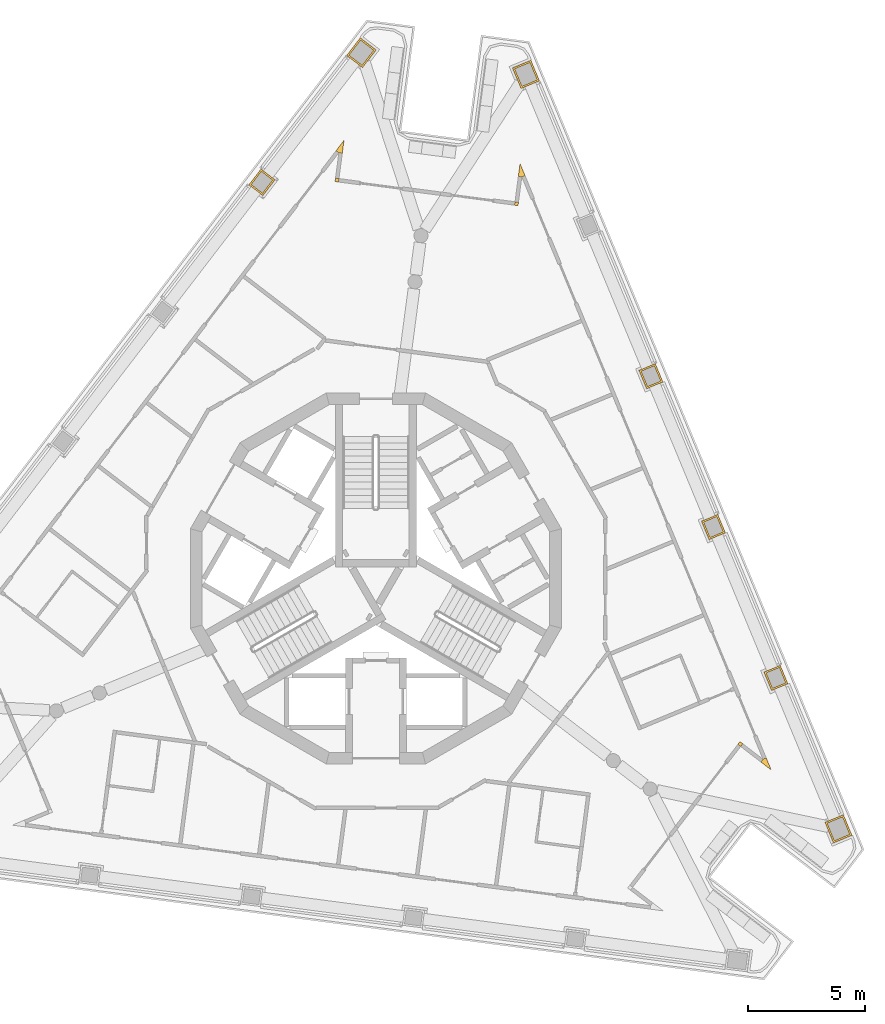
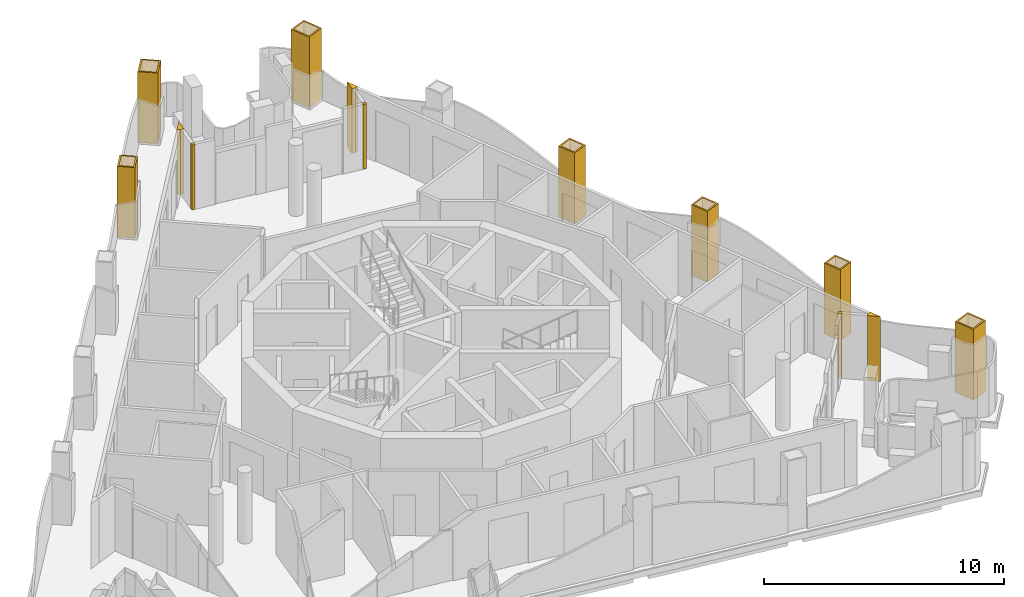
# One storey, part 11 of 12: 13 coverings.
"""IFC4 building model written with IfcOpenShell, lengths in metres."""

import ifcopenshell
import ifcopenshell.guid

model = None  # the IFC model being written
_history = None  # IfcOwnerHistory: only IFC2X3 demands one
_inside = {}  # id of a spatial element -> (the spatial element, [elements in it])
_under = {}  # id of a project, library or spatial element -> (it, [spatial elements below it])
_declared = {}  # id of a project -> (the project, [libraries it declares])
_typed = {}  # id of a type object -> (the type object, [elements of that type])
_made_of = {}  # id of a material, layer set ... -> (it, [elements and type objects made of it])


def new_model(schema):
    """Start an empty IFC model of exactly this schema.

    Asked for "IFC4X3", IfcOpenShell would pick the latest addendum, in which some entities
    have other attributes; the version numbers below select the first issue.
    IFC2X3 requires an IfcOwnerHistory on every rooted entity: one is made here for all.
    """
    global model, _history
    if schema == "IFC4X3":
        model = ifcopenshell.file(schema_version=(4, 3, 0, 0))
    else:
        model = ifcopenshell.file(schema=schema)
    _inside.clear()
    _under.clear()
    _declared.clear()
    _typed.clear()
    _made_of.clear()
    _history = None
    if model.schema == "IFC2X3":
        org = make("IfcOrganization", Name="unknown")
        user = make(
            "IfcPersonAndOrganization",
            ThePerson=make("IfcPerson", FamilyName="unknown"),
            TheOrganization=org,
        )
        app = make(
            "IfcApplication",
            ApplicationDeveloper=org,
            Version="unknown",
            ApplicationFullName="unknown",
            ApplicationIdentifier="unknown",
        )
        _history = make(
            "IfcOwnerHistory",
            OwningUser=user,
            OwningApplication=app,
            ChangeAction="ADDED",
            CreationDate=0,
        )
    return model


def make(cls, **values):
    """One entity of the class cls with the attributes given. An attribute that is None is left unset."""
    return model.create_entity(
        cls, **{name: value for name, value in values.items() if value is not None}
    )


def rooted(cls, **values):
    """An entity with a GlobalId (a new one), such as an element, a storey or a relation."""
    return make(cls, GlobalId=ifcopenshell.guid.new(), OwnerHistory=_history, **values)


def si_unit(unit_type, name, prefix=None):
    """IfcSIUnit, for example si_unit("LENGTHUNIT", "METRE", prefix="MILLI")."""
    return make("IfcSIUnit", UnitType=unit_type, Prefix=prefix, Name=name)


def assignment(units):
    """IfcUnitAssignment: the units of a project."""
    return None if units is None else make("IfcUnitAssignment", Units=units)


def point(xyz):
    """IfcCartesianPoint."""
    return None if xyz is None else make("IfcCartesianPoint", Coordinates=xyz)


def direction(xyz):
    """IfcDirection."""
    return None if xyz is None else make("IfcDirection", DirectionRatios=xyz)


def frame(location, z_axis=None, x_axis=None):
    """IfcAxis2Placement3D, a coordinate frame: its origin and axes. An axis left out is left unset."""
    return make(
        "IfcAxis2Placement3D",
        Location=point(location),
        Axis=direction(z_axis),
        RefDirection=direction(x_axis),
    )


def origin():
    """The frame at (0, 0, 0) with its axes left unset."""
    return frame((0.0, 0.0, 0.0))


def place(relative_to, where):
    """IfcLocalPlacement: puts the frame where relative to a parent placement (None: the world)."""
    return make(
        "IfcLocalPlacement", PlacementRelTo=relative_to, RelativePlacement=where
    )


def context(
    kind, dimensions, precision=None, world=None, true_north=None, identifier=None
):
    """IfcGeometricRepresentationContext, for example the 3D "Model" context."""
    return make(
        "IfcGeometricRepresentationContext",
        ContextIdentifier=identifier,
        ContextType=kind,
        CoordinateSpaceDimension=dimensions,
        Precision=precision,
        WorldCoordinateSystem=world,
        TrueNorth=true_north,
    )


def subcontext(parent, identifier, kind, view, scale=None):
    """IfcGeometricRepresentationSubContext, for example "Body" below "Model"."""
    return make(
        "IfcGeometricRepresentationSubContext",
        ContextIdentifier=identifier,
        ContextType=kind,
        ParentContext=parent,
        TargetScale=scale,
        TargetView=view,
    )


def project(units=None, contexts=None):
    """IfcProject with its units and contexts."""
    return rooted(
        "IfcProject",
        Name="project",
        RepresentationContexts=contexts,
        UnitsInContext=assignment(units),
    )


def spatial(cls, under=None, at=None, **own):
    """A site, building, storey or space (cls), placed at a placement, below another one or the project."""
    s = rooted(cls, ObjectPlacement=at, **own)
    if under is not None:
        _under.setdefault(under.id(), (under, []))[1].append(s)
    return s


def polyline(points):
    """IfcPolyline through the points."""
    return make("IfcPolyline", Points=[point(p) for p in points])


def outline(outer, holes=None, kind="AREA"):
    """IfcArbitraryClosedProfileDef: a profile drawn as a closed curve; with holes, ...WithVoids."""
    if holes is None:
        return make("IfcArbitraryClosedProfileDef", ProfileType=kind, OuterCurve=outer)
    return make(
        "IfcArbitraryProfileDefWithVoids",
        ProfileType=kind,
        OuterCurve=outer,
        InnerCurves=holes,
    )


def extrude(swept, where, along, depth):
    """IfcExtrudedAreaSolid: the profile swept, set in the frame where, extruded along a direction by depth."""
    return make(
        "IfcExtrudedAreaSolid",
        SweptArea=swept,
        Position=where,
        ExtrudedDirection=direction(along),
        Depth=depth,
    )


def shape(context_of_items, identifier, shape_type, items):
    """IfcShapeRepresentation: the items that make up one representation, for example the "Body"."""
    return make(
        "IfcShapeRepresentation",
        ContextOfItems=context_of_items,
        RepresentationIdentifier=identifier,
        RepresentationType=shape_type,
        Items=items,
    )


def material(Name=None, Category=None):
    """IfcMaterial."""
    return make("IfcMaterial", Name=Name, Category=Category)


def layer(
    of_material, thickness, ventilated=None, Name=None, Category=None, Priority=None
):
    """IfcMaterialLayer: one layer of a wall or slab, of a material (None: an air gap)."""
    return make(
        "IfcMaterialLayer",
        Material=of_material,
        LayerThickness=thickness,
        IsVentilated=ventilated,
        Name=Name,
        Category=Category,
        Priority=Priority,
    )


def layer_set(layers, Name=None):
    """IfcMaterialLayerSet."""
    return make("IfcMaterialLayerSet", MaterialLayers=layers, LayerSetName=Name)


def made_of(thing, what):
    """Note that an element or type object is made of a material, layer set ...; save() writes the relation."""
    if what is not None:
        _made_of.setdefault(what.id(), (what, []))[1].append(thing)
    return thing


def type_object(cls, material=None, **own):
    """A type object (cls), such as IfcWallType, which elements share."""
    return made_of(rooted(cls, **own), material)


def element(
    cls,
    number,
    at=None,
    inside=None,
    cuts=None,
    type_object=None,
    material=None,
    context=None,
    identifier="Body",
    shape_type=None,
    held_by="IfcProductDefinitionShape",
    body=None,
    shapes=None,
    **own,
):
    """One element of the class cls, such as IfcWall. Its Tag is "e" and its number.

    at: its placement. inside: the storey or other place that contains it. cuts: it is an
    opening in that element (IfcRelVoidsElement). A single representation is given by context,
    identifier, shape_type and body (its items); several are given by shapes. held_by: the class
    of the entity that holds the representations. save() writes the other relations.
    """
    e = rooted(cls, Tag="e%d" % number, ObjectPlacement=at, **own)
    if body is not None:
        shapes = [shape(context, identifier, shape_type, body)]
    if shapes is not None:
        e.Representation = make(held_by, Representations=shapes)
    if inside is not None:
        _inside.setdefault(inside.id(), (inside, []))[1].append(e)
    if cuts is not None:
        rooted(
            "IfcRelVoidsElement", RelatingBuildingElement=cuts, RelatedOpeningElement=e
        )
    if type_object is not None:
        _typed.setdefault(type_object.id(), (type_object, []))[1].append(e)
    return made_of(e, material)


def aggregate(whole, parts):
    """IfcRelAggregates: a whole, such as a stair, and the parts it consists of."""
    return rooted("IfcRelAggregates", RelatingObject=whole, RelatedObjects=parts)


def save(model, path):
    """Write the relations noted so far, then the file.

    IfcRelAggregates (storeys below a building ...), IfcRelContainedInSpatialStructure (elements
    in a storey), IfcRelDefinesByType, IfcRelAssociatesMaterial and IfcRelDeclares: one each for
    every whole, place, type object, material and project.
    """
    for whole, parts in _under.values():
        aggregate(whole, parts)
    for where, things in _inside.values():
        rooted(
            "IfcRelContainedInSpatialStructure",
            RelatedElements=things,
            RelatingStructure=where,
        )
    for kind, things in _typed.values():
        rooted("IfcRelDefinesByType", RelatedObjects=things, RelatingType=kind)
    for what, things in _made_of.values():
        rooted("IfcRelAssociatesMaterial", RelatedObjects=things, RelatingMaterial=what)
    for by, libraries in _declared.values():
        rooted("IfcRelDeclares", RelatingContext=by, RelatedDefinitions=libraries)
    model.write(path)


model = new_model("IFC4")

# Units and contexts
model_context = context("Model", 3, precision=1e-05, world=origin(), true_north=direction((0.0, 1.0)))
body_context = subcontext(model_context, "Body", "Model", "MODEL_VIEW")
ifc_project = project(units=[si_unit("LENGTHUNIT", "METRE"), si_unit("AREAUNIT", "SQUARE_METRE"), si_unit("VOLUMEUNIT", "CUBIC_METRE"), si_unit("PLANEANGLEUNIT", "RADIAN"), si_unit("MASSUNIT", "GRAM", prefix="KILO")], contexts=[model_context])

# Site, building, storey
site_placement = place(None, origin())
site = spatial("IfcSite", under=ifc_project, at=site_placement, CompositionType="ELEMENT")
building_placement = place(site_placement, origin())
building = spatial("IfcBuilding", under=site, at=building_placement, Name="Trine Commons Tower", CompositionType="ELEMENT")
storey_placement = place(building_placement, frame((0.0, 0.0, 279.0)))
storey = spatial("IfcBuildingStorey", under=building, at=storey_placement, Name="L73", CompositionType="ELEMENT", Elevation=279.0)

# Coverings
ifc_material_1 = material(Name="Aluminium-framed insulated wall panel", Category="aluminium")
ifc_layer_1 = layer(ifc_material_1, 0.14990234375)
ifc_layer_set_1 = layer_set([ifc_layer_1], Name="Aluminium-framed insulated wall panel")
covering_type_1 = type_object("IfcCoveringType", Name="Glazing corner post, aluminium", PredefinedType="CLADDING", material=ifc_layer_set_1)
covering_1_placement = place(storey_placement, origin())
element("IfcCovering", 1, at=covering_1_placement, inside=storey, type_object=covering_type_1, Name="Glazing corner post 8-02", PredefinedType="CLADDING", context=body_context, shape_type="SweptSolid", body=[
    extrude(outline(polyline([(78.41845703125, 80.671875), (78.567138671875, 80.652099609375), (78.64013671875, 81.207275390625), (78.29931640625, 80.76318359375), (78.41845703125, 80.671875), (78.41845703125, 80.671875)])), origin(), (0.0, 0.0, 1.0), 3.300048828125),
])
covering_2_placement = place(storey_placement, origin())
element("IfcCovering", 2, at=covering_2_placement, inside=storey, type_object=covering_type_1, Name="Glazing corner post 8-03", PredefinedType="CLADDING", context=body_context, shape_type="SweptSolid", body=[
    extrude(outline(polyline([(78.40576171875, 79.427001953125), (78.42529296875, 79.57568359375), (78.276611328125, 79.59521484375), (78.257080078125, 79.446533203125), (78.40576171875, 79.427001953125)])), origin(), (0.0, 0.0, 1.0), 3.300048828125),
])
covering_3_placement = place(storey_placement, origin())
element("IfcCovering", 3, at=covering_3_placement, inside=storey, type_object=covering_type_1, Name="Glazing corner post 8-04", PredefinedType="CLADDING", context=body_context, shape_type="SweptSolid", body=[
    extrude(outline(polyline([(85.9208984375, 78.437744140625), (86.069580078125, 78.418212890625), (86.089111328125, 78.56689453125), (85.9404296875, 78.58642578125), (85.9208984375, 78.437744140625)])), origin(), (0.0, 0.0, 1.0), 3.300048828125),
])
covering_4_placement = place(storey_placement, origin())
element("IfcCovering", 4, at=covering_4_placement, inside=storey, type_object=covering_type_1, Name="Glazing corner post 8-05", PredefinedType="CLADDING", context=body_context, shape_type="SweptSolid", body=[
    extrude(outline(polyline([(86.082275390625, 79.662841796875), (86.23095703125, 79.643310546875), (86.369384765625, 79.70068359375), (86.1552734375, 80.2177734375), (86.082275390625, 79.662841796875)])), origin(), (0.0, 0.0, 1.0), 3.300048828125),
])
covering_5_placement = place(storey_placement, origin())
element("IfcCovering", 5, at=covering_5_placement, inside=storey, type_object=covering_type_1, Name="Glazing corner post 8-06", PredefinedType="CLADDING", context=body_context, shape_type="SweptSolid", body=[
    extrude(outline(polyline([(96.436767578125, 54.664794921875), (96.880859375, 54.32421875), (96.66650390625, 54.84130859375), (96.528076171875, 54.783935546875), (96.436767578125, 54.664794921875)])), origin(), (0.0, 0.0, 1.0), 3.300048828125),
])
covering_6_placement = place(storey_placement, origin())
element("IfcCovering", 6, at=covering_6_placement, inside=storey, type_object=covering_type_1, Name="Glazing corner post 8-07", PredefinedType="CLADDING", context=body_context, shape_type="SweptSolid", body=[
    extrude(outline(polyline([(95.456298828125, 55.4169921875), (95.575439453125, 55.32568359375), (95.666748046875, 55.44482421875), (95.547607421875, 55.5361328125), (95.456298828125, 55.4169921875)])), origin(), (0.0, 0.0, 1.0), 3.300048828125),
])
ifc_material_2 = material(Name="Limestone, honed", Category="masonry")
ifc_layer_2 = layer(ifc_material_2, 0.074951171875)
ifc_layer_set_2 = layer_set([ifc_layer_2], Name="Limestone, honed")
covering_type_2 = type_object("IfcCoveringType", Name="Limestone column cladding 75", PredefinedType="CLADDING", material=ifc_layer_set_2)
covering_7_placement = place(storey_placement, origin())
element("IfcCovering", 7, at=covering_7_placement, inside=storey, type_object=covering_type_2, Name="Limestone pier cladding 8-11", PredefinedType="CLADDING", context=body_context, shape_type="SweptSolid", body=[
    extrude(outline(polyline([(75.691650390625, 79.52490234375), (75.0966796875, 79.9814453125), (74.579345703125, 79.30712890625), (75.17431640625, 78.8505859375), (75.691650390625, 79.52490234375)]), holes=[polyline([(75.586669921875, 79.510986328125), (75.110595703125, 79.876220703125), (74.684326171875, 79.321044921875), (75.160400390625, 78.955810546875), (75.586669921875, 79.510986328125)])]), origin(), (0.0, 0.0, 1.0), 3.60009765625),
])
covering_8_placement = place(storey_placement, origin())
element("IfcCovering", 8, at=covering_8_placement, inside=storey, type_object=covering_type_2, Name="Limestone pier cladding 8-12", PredefinedType="CLADDING", context=body_context, shape_type="SweptSolid", body=[
    extrude(outline(polyline([(80.006591796875, 85.06591796875), (79.332275390625, 85.58349609375), (78.75390625, 84.829833984375), (79.42822265625, 84.312255859375), (80.006591796875, 85.06591796875)]), holes=[polyline([(79.9013671875, 85.05224609375), (79.345947265625, 85.478271484375), (78.85888671875, 84.843505859375), (79.414306640625, 84.41748046875), (79.9013671875, 85.05224609375)])]), origin(), (0.0, 0.0, 1.0), 3.60009765625),
])
covering_9_placement = place(storey_placement, origin())
element("IfcCovering", 9, at=covering_9_placement, inside=storey, type_object=covering_type_2, Name="Limestone pier cladding 8-13", PredefinedType="CLADDING", context=body_context, shape_type="SweptSolid", body=[
    extrude(outline(polyline([(86.619384765625, 84.6240234375), (85.834228515625, 84.298828125), (86.19775390625, 83.421142578125), (86.98291015625, 83.746337890625), (86.619384765625, 84.6240234375)]), holes=[polyline([(86.578857421875, 84.526123046875), (85.93212890625, 84.25830078125), (86.23828125, 83.51904296875), (86.885009765625, 83.787109375), (86.578857421875, 84.526123046875)])]), origin(), (0.0, 0.0, 1.0), 3.60009765625),
])
covering_10_placement = place(storey_placement, origin())
element("IfcCovering", 10, at=covering_10_placement, inside=storey, type_object=covering_type_2, Name="Limestone pier cladding 8-15", PredefinedType="CLADDING", context=body_context, shape_type="SweptSolid", body=[
    extrude(outline(polyline([(91.92919921875, 71.6748046875), (91.236083984375, 71.3876953125), (91.5615234375, 70.6025390625), (92.25439453125, 70.8896484375), (91.92919921875, 71.6748046875)]), holes=[polyline([(91.888427734375, 71.576904296875), (91.334228515625, 71.347412109375), (91.60205078125, 70.700439453125), (92.156494140625, 70.93017578125), (91.888427734375, 71.576904296875)])]), origin(), (0.0, 0.0, 1.0), 3.60009765625),
])
covering_11_placement = place(storey_placement, origin())
element("IfcCovering", 11, at=covering_11_placement, inside=storey, type_object=covering_type_2, Name="Limestone pier cladding 8-16", PredefinedType="CLADDING", context=body_context, shape_type="SweptSolid", body=[
    extrude(outline(polyline([(94.597412109375, 65.23291015625), (93.904541015625, 64.94580078125), (94.229736328125, 64.160400390625), (94.922607421875, 64.447509765625), (94.597412109375, 65.23291015625)]), holes=[polyline([(94.556884765625, 65.135009765625), (94.00244140625, 64.9052734375), (94.2705078125, 64.258544921875), (94.82470703125, 64.488037109375), (94.556884765625, 65.135009765625)])]), origin(), (0.0, 0.0, 1.0), 3.60009765625),
])
covering_12_placement = place(storey_placement, origin())
element("IfcCovering", 12, at=covering_12_placement, inside=storey, type_object=covering_type_2, Name="Limestone pier cladding 8-17", PredefinedType="CLADDING", context=body_context, shape_type="SweptSolid", body=[
    extrude(outline(polyline([(97.265625, 58.791015625), (96.57275390625, 58.50390625), (96.898193359375, 57.718505859375), (97.591064453125, 58.005615234375), (97.265625, 58.791015625)]), holes=[polyline([(97.22509765625, 58.69287109375), (96.6708984375, 58.46337890625), (96.938720703125, 57.81640625), (97.492919921875, 58.046142578125), (97.22509765625, 58.69287109375)])]), origin(), (0.0, 0.0, 1.0), 3.60009765625),
])
covering_13_placement = place(storey_placement, origin())
element("IfcCovering", 13, at=covering_13_placement, inside=storey, type_object=covering_type_2, Name="Limestone pier cladding 8-18", PredefinedType="CLADDING", context=body_context, shape_type="SweptSolid", body=[
    extrude(outline(polyline([(99.961181640625, 52.414306640625), (99.17578125, 52.089111328125), (99.539306640625, 51.211181640625), (100.32470703125, 51.53662109375), (99.961181640625, 52.414306640625)]), holes=[polyline([(99.920654296875, 52.31640625), (99.27392578125, 52.04833984375), (99.580078125, 51.309326171875), (100.226806640625, 51.5771484375), (99.920654296875, 52.31640625)])]), origin(), (0.0, 0.0, 1.0), 3.60009765625),
])

save(model, "model.ifc")
